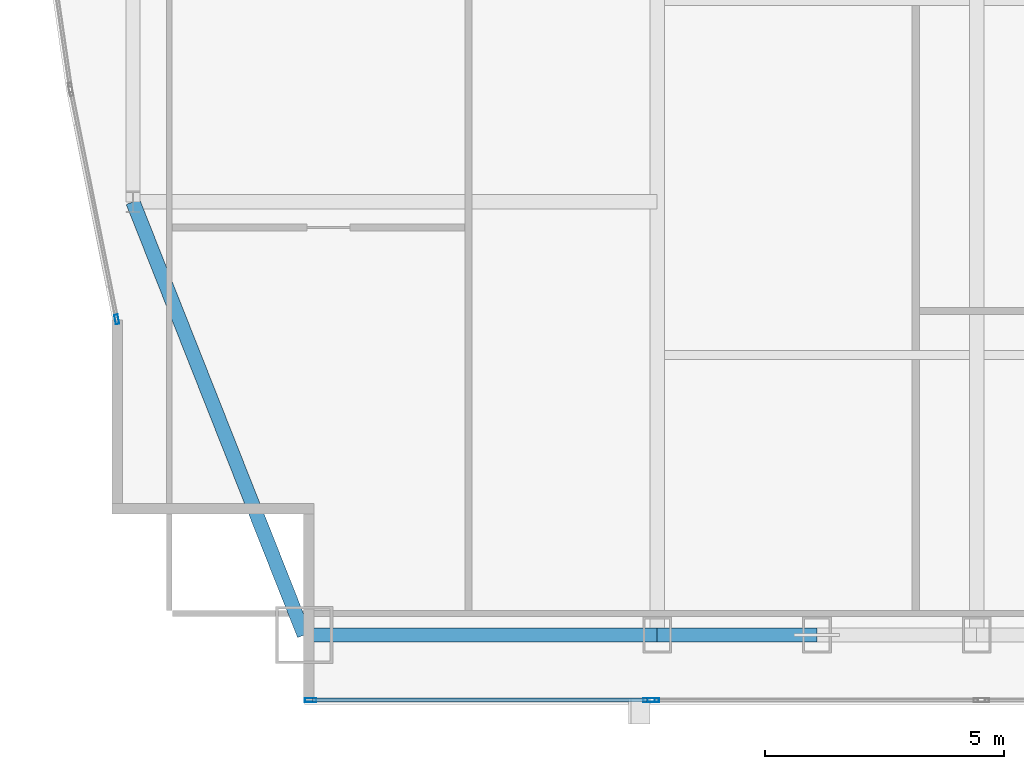
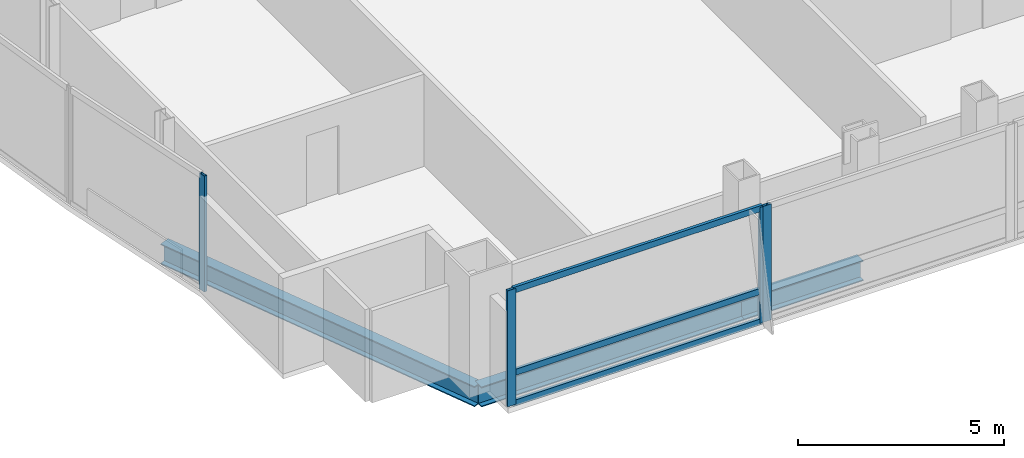
# One storey, part 5 of 30: 7 members, 3 beams, 3 elements without a shape of their own.
"""IFC4 building model written with IfcOpenShell, lengths in metres."""

from ifc_helpers import new_model, si_unit, direction, frame, origin, origin_2d, place, context, subcontext, project, spatial, hollow_rectangle, i_section, extrude, material, material_profile, profile_set, type_object, element, aggregate, save


model = new_model("IFC4")

# Units and contexts
model_context = context("Model", 3, precision=1e-05, world=origin(), true_north=direction((0.0, 1.0)))
body_context = subcontext(model_context, "Body", "Model", "MODEL_VIEW")
ifc_project = project(units=[si_unit("LENGTHUNIT", "METRE"), si_unit("AREAUNIT", "SQUARE_METRE"), si_unit("VOLUMEUNIT", "CUBIC_METRE"), si_unit("PLANEANGLEUNIT", "RADIAN"), si_unit("MASSUNIT", "GRAM", prefix="KILO")], contexts=[model_context])

# Site, building, storey
site_placement = place(None, origin())
site = spatial("IfcSite", under=ifc_project, at=site_placement, CompositionType="ELEMENT")
building_placement = place(site_placement, origin())
building = spatial("IfcBuilding", under=site, at=building_placement, Name="Khoronbel Lancet Exchange", CompositionType="ELEMENT")
storey_placement = place(building_placement, frame((0.0, 0.0, 206.60009765625)))
storey = spatial("IfcBuildingStorey", under=building, at=storey_placement, Name="L52", CompositionType="ELEMENT", Elevation=206.60009765625)

# Beams
ifc_material_1 = material(Name="Steel S355", Category="steel")
ifc_material_profile_1 = material_profile(ifc_material_1, i_section(OverallWidth=0.300048828125, OverallDepth=0.60009765625, WebThickness=0.015380859375, FlangeThickness=0.030029296875, at=origin_2d()), Name="HEB 600")
ifc_profile_set_1 = profile_set([ifc_material_profile_1], Name="Steel S355")
beam_type = type_object("IfcBeamType", Name="BM-BSP2", PredefinedType="SPANDREL", material=ifc_profile_set_1)
beam_1_placement = place(storey_placement, frame((10.85009765625, 10.14990234375, -0.460205078125), z_axis=(1.0, 0.0, 0.0), x_axis=(0.0, 1.0, 0.0)))
element("IfcBeam", 1, at=beam_1_placement, inside=storey, type_object=beam_type, Name="Level L52 perimeter spandrel beam SP01", PredefinedType="SPANDREL", context=body_context, shape_type="SweptSolid", body=[
    extrude(i_section(OverallWidth=0.300048828125, OverallDepth=0.60009765625, WebThickness=0.015380859375, FlangeThickness=0.030029296875, at=origin_2d()), origin(), (0.0, 0.0, 1.0), 7.375),
])
beam_2_placement = place(storey_placement, frame((18.22509765625, 10.14990234375, -0.460205078125), z_axis=(1.0, 0.0, 0.0), x_axis=(0.0, 1.0, 0.0)))
element("IfcBeam", 2, at=beam_2_placement, inside=storey, type_object=beam_type, Name="Level L52 perimeter spandrel beam SP02", PredefinedType="SPANDREL", context=body_context, shape_type="SweptSolid", body=[
    extrude(i_section(OverallWidth=0.300048828125, OverallDepth=0.60009765625, WebThickness=0.015380859375, FlangeThickness=0.030029296875, at=origin_2d()), origin(), (0.0, 0.0, 1.0), 3.33740234375),
])
beam_3_placement = place(storey_placement, frame((7.27001953125, 19.199951171875, -0.460205078125), z_axis=(0.367850095026, -0.92988510451, 0.0), x_axis=(0.92988510451, 0.367850095026, 0.0)))
element("IfcBeam", 3, at=beam_3_placement, inside=storey, type_object=beam_type, Name="Level L52 perimeter spandrel beam SP21", PredefinedType="SPANDREL", context=body_context, shape_type="SweptSolid", body=[
    extrude(i_section(OverallWidth=0.300048828125, OverallDepth=0.60009765625, WebThickness=0.015380859375, FlangeThickness=0.030029296875, at=origin_2d()), origin(), (0.0, 0.0, 1.0), 9.732421875),
])

# Curtain wall, members
ifc_material_2 = material(Name="Low-E Solar Control Insulating Glass", Category="glass")
curtain_wall_type_1 = type_object("IfcCurtainWallType", Name="CW-3", PredefinedType="NOTDEFINED", material=ifc_material_2)
curtain_wall_1_placement = place(storey_placement, origin())
curtain_wall_1 = element("IfcCurtainWall", 4, at=curtain_wall_1_placement, inside=storey, type_object=curtain_wall_type_1, Name="Unitised curtain wall CW-L52-SWV", PredefinedType="NOTDEFINED")
ifc_material_3 = material(Name="Bronze-Anodised Aluminium 6063-T6", Category="aluminium")
ifc_material_profile_2 = material_profile(ifc_material_3, hollow_rectangle(XDim=0.0849609375, YDim=0.239990234375, WallThickness=0.006103515625, at=origin_2d()), Name="ALU MULLION 85x240")
ifc_profile_set_2 = profile_set([ifc_material_profile_2], Name="Bronze-Anodised Aluminium 6063-T6")
member_type_1 = type_object("IfcMemberType", Name="MEM-CWM1", PredefinedType="MULLION", material=ifc_profile_set_2)
member_1_placement = place(storey_placement, frame((10.982421875, 8.7900390625, 0.0), z_axis=(0.0, 0.0, 1.0), x_axis=(0.0, 1.0, 0.0)))
member_1 = element("IfcMember", 5, at=member_1_placement, type_object=member_type_1, Name="CW3 mullion 1", PredefinedType="MULLION", context=body_context, shape_type="SweptSolid", body=[
    extrude(hollow_rectangle(XDim=0.0849609375, YDim=0.239990234375, WallThickness=0.006103515625, at=origin_2d()), origin(), (0.0, 0.0, 1.0), 3.43994140625),
])
member_2_placement = place(storey_placement, frame((18.0576171875, 8.7900390625, 0.0), z_axis=(0.0, 0.0, 1.0), x_axis=(0.0, 1.0, 0.0)))
member_2 = element("IfcMember", 6, at=member_2_placement, type_object=member_type_1, Name="CW3 mullion 2", PredefinedType="MULLION", context=body_context, shape_type="SweptSolid", body=[
    extrude(hollow_rectangle(XDim=0.0849609375, YDim=0.239990234375, WallThickness=0.006103515625, at=origin_2d()), origin(), (0.0, 0.0, 1.0), 3.43994140625),
])

# Curtain wall, member
curtain_wall_2_placement = place(storey_placement, origin())
curtain_wall_2 = element("IfcCurtainWall", 7, at=curtain_wall_2_placement, inside=storey, type_object=curtain_wall_type_1, Name="Unitised curtain wall CW-L52-SWB", PredefinedType="NOTDEFINED")
member_3_placement = place(storey_placement, frame((18.142578125, 8.7900390625, 0.0), z_axis=(0.0, 0.0, 1.0), x_axis=(0.0, 1.0, 0.0)))
member_3 = element("IfcMember", 8, at=member_3_placement, type_object=member_type_1, Name="CW3 mullion 1", PredefinedType="MULLION", context=body_context, shape_type="SweptSolid", body=[
    extrude(hollow_rectangle(XDim=0.0849609375, YDim=0.239990234375, WallThickness=0.006103515625, at=origin_2d()), origin(), (0.0, 0.0, 1.0), 3.43994140625),
])
aggregate(curtain_wall_2, [member_3])

curtain_wall_type_2 = type_object("IfcCurtainWallType", Name="CW-4", PredefinedType="NOTDEFINED", material=ifc_material_2)
curtain_wall_3_placement = place(storey_placement, origin())
curtain_wall_3 = element("IfcCurtainWall", 9, at=curtain_wall_3_placement, inside=storey, type_object=curtain_wall_type_2, Name="Unitised curtain wall CW-L52-E04", PredefinedType="NOTDEFINED")
ifc_material_profile_3 = material_profile(ifc_material_3, hollow_rectangle(XDim=0.074951171875, YDim=0.199951171875, WallThickness=0.0048828125, at=origin_2d()), Name="ALU MULLION 75x200")
ifc_profile_set_3 = profile_set([ifc_material_profile_3], Name="Bronze-Anodised Aluminium 6063-T6")
member_type_2 = type_object("IfcMemberType", Name="MEM-CWM2", PredefinedType="MULLION", material=ifc_profile_set_3)
member_4_placement = place(storey_placement, frame((6.9326171875, 16.74560546875, 0.0), z_axis=(0.0, 0.0, 1.0), x_axis=(-0.980454248694, -0.196747214001, 0.0)))
member_4 = element("IfcMember", 10, at=member_4_placement, type_object=member_type_2, Name="CW4 mullion 1", PredefinedType="MULLION", context=body_context, shape_type="SweptSolid", body=[
    extrude(hollow_rectangle(XDim=0.074951171875, YDim=0.199951171875, WallThickness=0.0048828125, at=origin_2d()), origin(), (0.0, 0.0, 1.0), 3.43994140625),
])
aggregate(curtain_wall_3, [member_4])

# Member
ifc_material_profile_4 = material_profile(ifc_material_3, hollow_rectangle(XDim=0.0849609375, YDim=0.179931640625, WallThickness=0.0048828125, at=origin_2d()), Name="ALU TRANSOM 85x180")
ifc_profile_set_4 = profile_set([ifc_material_profile_4], Name="Bronze-Anodised Aluminium 6063-T6")
member_type_3 = type_object("IfcMemberType", Name="MEM-CWT1", PredefinedType="USERDEFINED", material=ifc_profile_set_4)
member_5_placement = place(storey_placement, frame((11.02490234375, 8.7900390625, 0.04248046875), z_axis=(1.0, 0.0, 0.0), x_axis=(0.0, 1.0, 0.0)))
member_5 = element("IfcMember", 11, at=member_5_placement, type_object=member_type_3, Name="CW3 transom 1.1", ObjectType="TRANSOM", PredefinedType="USERDEFINED", context=body_context, shape_type="SweptSolid", body=[
    extrude(hollow_rectangle(XDim=0.0849609375, YDim=0.179931640625, WallThickness=0.0048828125, at=origin_2d()), origin(), (0.0, 0.0, 1.0), 6.989990234375),
])

member_6_placement = place(storey_placement, frame((11.02490234375, 8.7900390625, 0.949951171875), z_axis=(1.0, 0.0, 0.0), x_axis=(0.0, 1.0, 0.0)))
member_6 = element("IfcMember", 12, at=member_6_placement, type_object=member_type_3, Name="CW3 transom 1.2", ObjectType="TRANSOM", PredefinedType="USERDEFINED", context=body_context, shape_type="SweptSolid", body=[
    extrude(hollow_rectangle(XDim=0.0849609375, YDim=0.179931640625, WallThickness=0.0048828125, at=origin_2d()), origin(), (0.0, 0.0, 1.0), 6.989990234375),
])

member_7_placement = place(storey_placement, frame((11.02490234375, 8.7900390625, 3.3974609375), z_axis=(1.0, 0.0, 0.0), x_axis=(0.0, 1.0, 0.0)))
member_7 = element("IfcMember", 13, at=member_7_placement, type_object=member_type_3, Name="CW3 transom 1.3", ObjectType="TRANSOM", PredefinedType="USERDEFINED", context=body_context, shape_type="SweptSolid", body=[
    extrude(hollow_rectangle(XDim=0.0849609375, YDim=0.179931640625, WallThickness=0.0048828125, at=origin_2d()), origin(), (0.0, 0.0, 1.0), 6.989990234375),
])

aggregate(curtain_wall_1, [member_1, member_2, member_5, member_6, member_7])

save(model, "model.ifc")
